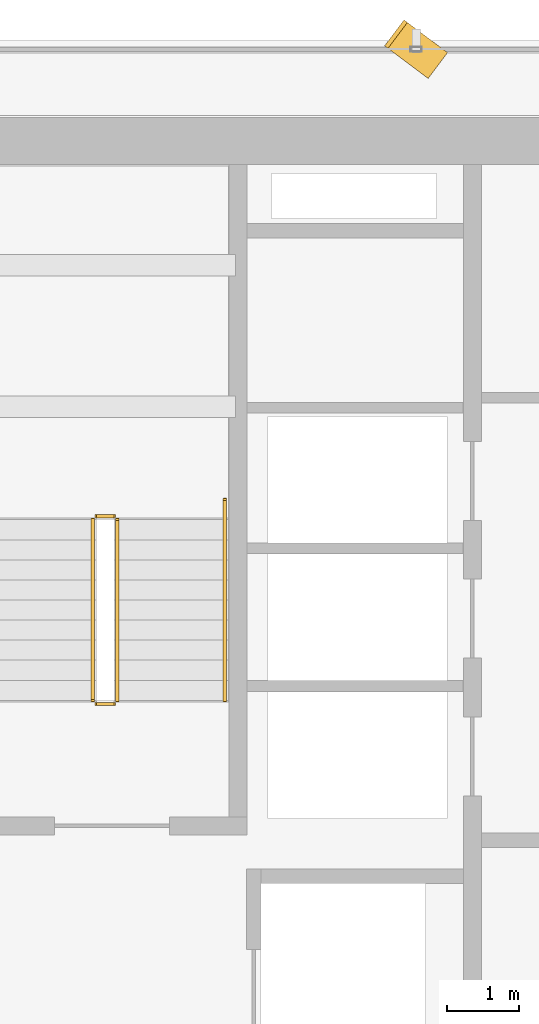
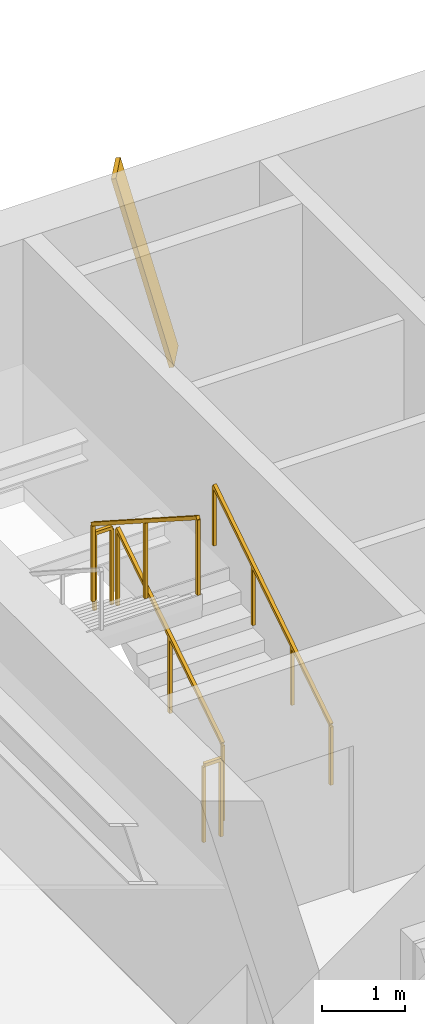
# One storey, part 24 of 27: 5 railings, 1 shading device.
"""IFC4 building model written with IfcOpenShell, lengths in metres."""

from ifc_helpers import new_model, si_unit, direction, frame, origin, origin_2d, place, context, subcontext, project, spatial, rectangle, extrude, source, transform, mapped, material, material_profile, profile_set, type_object, element, save


model = new_model("IFC4")

# Units and contexts
model_context = context("Model", 3, precision=1e-05, world=origin(), true_north=direction((0.0, 1.0)))
body_context = subcontext(model_context, "Body", "Model", "MODEL_VIEW")
ifc_project = project(units=[si_unit("LENGTHUNIT", "METRE"), si_unit("AREAUNIT", "SQUARE_METRE"), si_unit("VOLUMEUNIT", "CUBIC_METRE"), si_unit("PLANEANGLEUNIT", "RADIAN"), si_unit("MASSUNIT", "GRAM", prefix="KILO")], contexts=[model_context])

# Site, building, storey
site_placement = place(None, origin())
site = spatial("IfcSite", under=ifc_project, at=site_placement, CompositionType="ELEMENT")
building_placement = place(site_placement, origin())
building = spatial("IfcBuilding", under=site, at=building_placement, Name="Sumidabori Civic Tower", CompositionType="ELEMENT")
storey_placement = place(building_placement, frame((0.0, 0.0, 160.39990234375)))
storey = spatial("IfcBuildingStorey", under=building, at=storey_placement, Name="L41", CompositionType="ELEMENT", Elevation=160.39990234375)

# Railings
ifc_material_1 = material(Name="Stainless Steel Hairline Finish", Category="steel")
railing_type_1 = type_object("IfcRailingType", Name="RL-HANDRAIL", PredefinedType="HANDRAIL", material=ifc_material_1)
railing_1_placement = place(storey_placement, frame((-11.949951171875, 16.0, 0.18017578125)))
element("IfcRailing", 1, at=railing_1_placement, inside=storey, type_object=railing_type_1, Name="L41 ST-1 stair handrail 1", PredefinedType="HANDRAIL", context=body_context, shape_type="SweptSolid", body=[
    extrude(rectangle(XDim=0.048095703125, YDim=0.048095703125, at=origin_2d()), frame((0.0, 0.0, 0.8759765625), z_axis=(0.0, 0.840675598268, 0.541539046124), x_axis=(-1.0, 0.0, 0.0)), (0.0, 0.0, 1.0), 3.330810546875),
    extrude(rectangle(XDim=0.0419921875, YDim=0.0419921875, at=origin_2d()), origin(), (0.0, 0.0, 1.0), 0.851806640625),
    extrude(rectangle(XDim=0.0419921875, YDim=0.0419921875, at=origin_2d()), frame((0.0, 0.933349609375, 0.601318359375)), (0.0, 0.0, 1.0), 0.851806640625),
    extrude(rectangle(XDim=0.0419921875, YDim=0.0419921875, at=origin_2d()), frame((0.0, 1.86669921875, 1.202392578125)), (0.0, 0.0, 1.0), 0.851806640625),
    extrude(rectangle(XDim=0.0419921875, YDim=0.0419921875, at=origin_2d()), frame((0.0, 2.800048828125, 1.8037109375)), (0.0, 0.0, 1.0), 0.851806640625),
])
ifc_material_2 = material(Name="Steel SN490", Category="steel")
railing_type_2 = type_object("IfcRailingType", Name="RL-STAIR-GUARD", PredefinedType="GUARDRAIL", material=ifc_material_2)
railing_2_placement = place(storey_placement, frame((-13.449951171875, 16.0, 0.18017578125)))
element("IfcRailing", 2, at=railing_2_placement, inside=storey, type_object=railing_type_2, Name="L41 ST-1 stair guard 1", PredefinedType="GUARDRAIL", context=body_context, shape_type="SweptSolid", body=[
    extrude(rectangle(XDim=0.048095703125, YDim=0.048095703125, at=origin_2d()), frame((0.0, 0.0, 1.1259765625), z_axis=(0.0, 0.841199657755, 0.540724639528), x_axis=(-1.0, 0.0, 0.0)), (0.0, 0.0, 1.0), 2.995849609375),
    extrude(rectangle(XDim=0.0419921875, YDim=0.0419921875, at=origin_2d()), origin(), (0.0, 0.0, 1.0), 1.101806640625),
    extrude(rectangle(XDim=0.0419921875, YDim=0.0419921875, at=origin_2d()), frame((0.0, 1.260009765625, 0.81005859375)), (0.0, 0.0, 1.0), 1.101806640625),
    extrude(rectangle(XDim=0.0419921875, YDim=0.0419921875, at=origin_2d()), frame((0.0, 2.52001953125, 1.619873046875)), (0.0, 0.0, 1.0), 1.101806640625),
])
railing_3_placement = place(storey_placement, frame((-13.5, 18.570068359375, 1.800048828125)))
element("IfcRailing", 3, at=railing_3_placement, inside=storey, type_object=railing_type_2, Name="L41 ST-1 stair guard 2", PredefinedType="GUARDRAIL", context=body_context, shape_type="SweptSolid", body=[
    extrude(rectangle(XDim=0.048095703125, YDim=0.048095703125, at=origin_2d()), frame((0.0, 0.0, 1.1259765625), z_axis=(-1.0, 0.0, 0.0), x_axis=(0.0, -1.0, 0.0)), (0.0, 0.0, 1.0), 0.239990234375),
    extrude(rectangle(XDim=0.0419921875, YDim=0.0419921875, at=origin_2d()), origin(), (0.0, 0.0, 1.0), 1.101806640625),
    extrude(rectangle(XDim=0.0419921875, YDim=0.0419921875, at=origin_2d()), frame((-0.239990234375, 0.0, 0.0)), (0.0, 0.0, 1.0), 1.101806640625),
])
railing_4_placement = place(storey_placement, frame((-13.7900390625, 18.52001953125, 1.97998046875)))
element("IfcRailing", 4, at=railing_4_placement, inside=storey, type_object=railing_type_2, Name="L41 ST-1 stair guard 3", PredefinedType="GUARDRAIL", context=body_context, shape_type="SweptSolid", body=[
    extrude(rectangle(XDim=0.048095703125, YDim=0.048095703125, at=origin_2d()), frame((0.0, 0.0, 1.1259765625), z_axis=(0.0, -0.841162588446, 0.540782303519), x_axis=(1.0, 0.0, 0.0)), (0.0, 0.0, 1.0), 2.995849609375),
    extrude(rectangle(XDim=0.0419921875, YDim=0.0419921875, at=origin_2d()), origin(), (0.0, 0.0, 1.0), 1.101806640625),
    extrude(rectangle(XDim=0.0419921875, YDim=0.0419921875, at=origin_2d()), frame((0.0, -1.260009765625, 0.81005859375)), (0.0, 0.0, 1.0), 1.101806640625),
    extrude(rectangle(XDim=0.0419921875, YDim=0.0419921875, at=origin_2d()), frame((0.0, -2.52001953125, 1.6201171875)), (0.0, 0.0, 1.0), 1.101806640625),
])
railing_5_placement = place(storey_placement, frame((-13.5, 15.949951171875, 0.0)))
element("IfcRailing", 5, at=railing_5_placement, inside=storey, type_object=railing_type_2, Name="L41 ST-1 stair guard 4", PredefinedType="GUARDRAIL", context=body_context, shape_type="SweptSolid", body=[
    extrude(rectangle(XDim=0.048095703125, YDim=0.048095703125, at=origin_2d()), frame((0.0, 0.0, 1.1259765625), z_axis=(-1.0, 0.0, 0.0), x_axis=(0.0, -1.0, 0.0)), (0.0, 0.0, 1.0), 0.239990234375),
    extrude(rectangle(XDim=0.0419921875, YDim=0.0419921875, at=origin_2d()), origin(), (0.0, 0.0, 1.0), 1.101806640625),
    extrude(rectangle(XDim=0.0419921875, YDim=0.0419921875, at=origin_2d()), frame((-0.239990234375, 0.0, 0.0)), (0.0, 0.0, 1.0), 1.101806640625),
])

# Shading device
ifc_material_3 = material(Name="Anodised Bronze Aluminium AW-6063-T6", Category="aluminium")
ifc_material_profile = material_profile(ifc_material_3, rectangle(XDim=0.06005859375, YDim=0.449951171875, at=origin_2d()), Name="BRONZE FIN 450x60")
ifc_profile_set = profile_set([ifc_material_profile], Name="Anodised Bronze Aluminium AW-6063-T6")
shading_device_type = type_object("IfcShadingDeviceType", Name="SH-FIN-450", PredefinedType="USERDEFINED", material=ifc_profile_set)
shared_shape = source(origin(), body_context, "Body", "SweptSolid", [
    extrude(rectangle(XDim=0.06005859375, YDim=0.449951171875, at=origin_2d()), origin(), (0.0, 0.0, 1.0), 2.78955078125),
])
shading_device_placement = place(storey_placement, frame((-9.0048828125, 24.8701171875, 0.02001953125), z_axis=(-0.20077712468, 0.150539082149, 0.968001307308), x_axis=(0.774482065205, -0.580692742874, 0.250945151476)))
element("IfcShadingDevice", 6, at=shading_device_placement, inside=storey, type_object=shading_device_type, Name="Bronze Anodised Diagonal Fin L41-03", ObjectType="FIN", PredefinedType="USERDEFINED", context=body_context, shape_type="MappedRepresentation", body=[
    mapped(shared_shape, transform((0.0, 0.0, 0.0), x_axis=(1.0, 0.0, 0.0), y_axis=(0.0, 1.0, 0.0), z_axis=(0.0, 0.0, 1.0), scale=1.0)),
])

save(model, "model.ifc")
